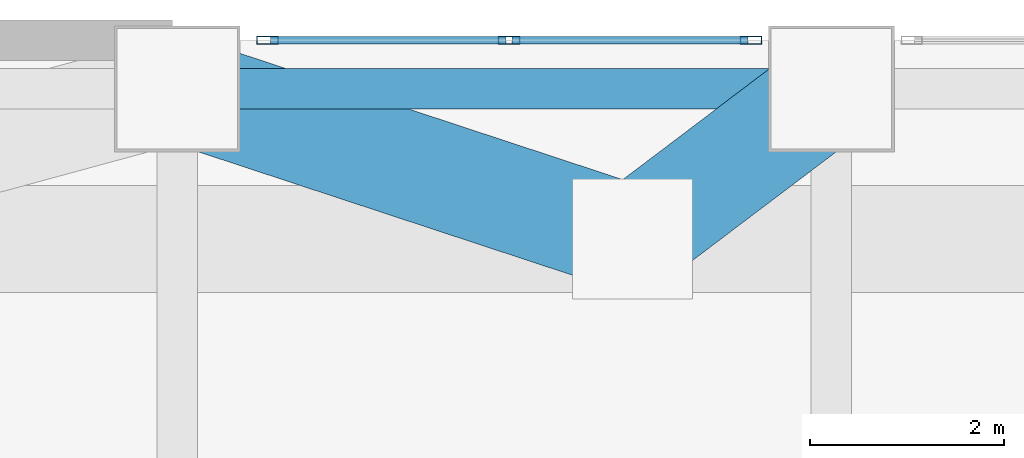
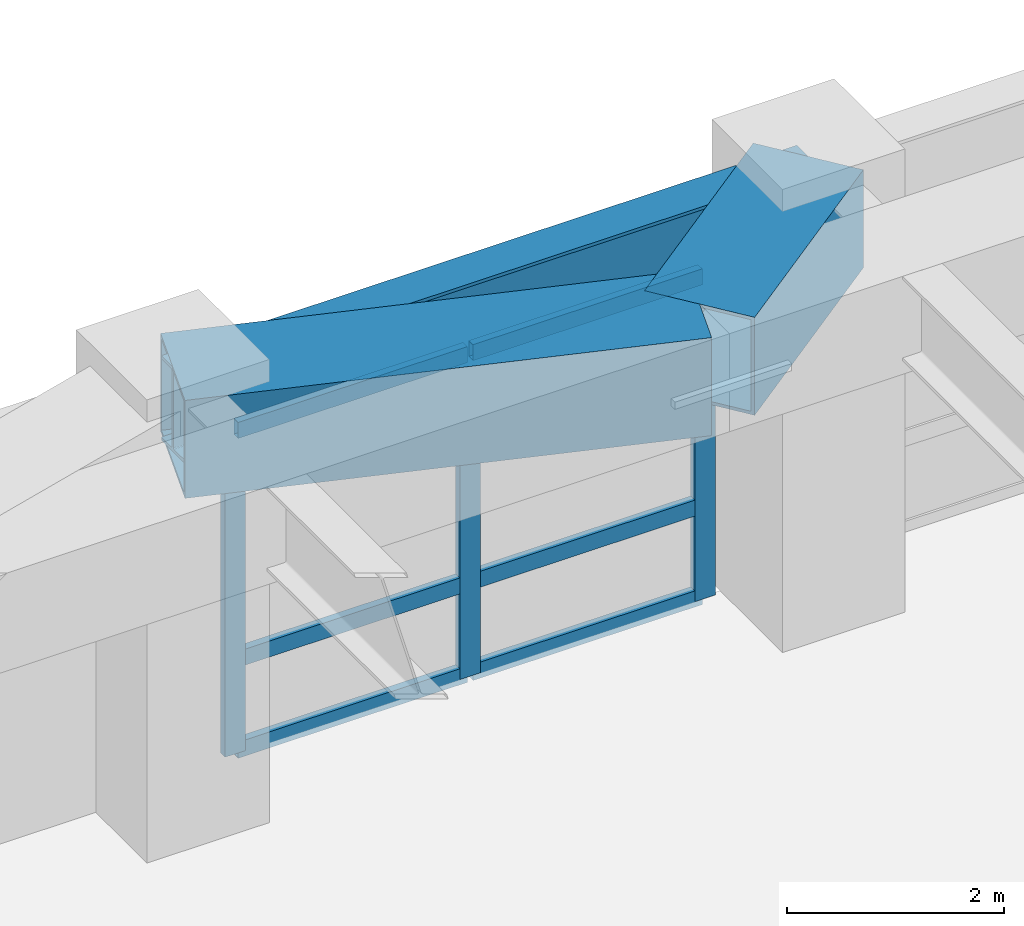
# One storey, part 8 of 20: 9 members, 3 beams, 1 element without a shape of its own.
"""IFC4 building model written with IfcOpenShell, lengths in metres."""

from ifc_helpers import new_model, si_unit, direction, frame, origin, origin_2d, place, context, subcontext, project, spatial, hollow_rectangle, i_section, extrude, material, layer, layer_set, material_profile, profile_set, type_object, element, aggregate, save


model = new_model("IFC4")

# Units and contexts
model_context = context("Model", 3, precision=1e-05, world=origin(), true_north=direction((0.0, 1.0)))
body_context = subcontext(model_context, "Body", "Model", "MODEL_VIEW")
ifc_project = project(units=[si_unit("LENGTHUNIT", "METRE"), si_unit("AREAUNIT", "SQUARE_METRE"), si_unit("VOLUMEUNIT", "CUBIC_METRE"), si_unit("PLANEANGLEUNIT", "RADIAN"), si_unit("MASSUNIT", "GRAM", prefix="KILO")], contexts=[model_context])

# Site, building, storey
site_placement = place(None, origin())
site = spatial("IfcSite", under=ifc_project, at=site_placement, CompositionType="ELEMENT")
building_placement = place(site_placement, origin())
building = spatial("IfcBuilding", under=site, at=building_placement, Name="Voryun Gate Residences", CompositionType="ELEMENT")
storey_placement = place(building_placement, frame((0.0, 0.0, 20.800048828125)))
storey = spatial("IfcBuildingStorey", under=building, at=storey_placement, Name="L04", CompositionType="ELEMENT", Elevation=20.800048828125)

# Beams
ifc_material_1 = material(Name="Steel SM420", Category="steel")
ifc_material_profile_1 = material_profile(ifc_material_1, hollow_rectangle(XDim=1.10009765625, YDim=1.10009765625, WallThickness=0.035888671875, at=origin_2d()), Name="BOX-1100x1100x36")
ifc_profile_set_1 = profile_set([ifc_material_profile_1], Name="Steel SM420")
beam_type_1 = type_object("IfcBeamType", Name="BM_ARCH_RIB", PredefinedType="USERDEFINED", material=ifc_profile_set_1)
beam_1_placement = place(storey_placement, frame((-6.75, 23.300048828125, 4.39990234375), z_axis=(-0.797657102067, -0.603111223177, 0.0), x_axis=(0.603111223177, -0.797657102067, 0.0)))
element("IfcBeam", 1, at=beam_1_placement, inside=storey, type_object=beam_type_1, Name="BM-L04-B1RAD1-N4", ObjectType="GIRDER", PredefinedType="USERDEFINED", context=body_context, shape_type="SweptSolid", body=[
    extrude(hollow_rectangle(XDim=1.10009765625, YDim=1.10009765625, WallThickness=0.035888671875, at=origin_2d()), origin(), (0.0, 0.0, 1.0), 2.570068359375),
])
beam_2_placement = place(storey_placement, frame((-13.5, 23.300048828125, 4.39990234375), z_axis=(0.949684861029, -0.313207063668, 0.0), x_axis=(0.313207063668, 0.949684861029, 0.0)))
element("IfcBeam", 2, at=beam_2_placement, inside=storey, type_object=beam_type_1, Name="BM-L04-B1RAD2-N4", ObjectType="GIRDER", PredefinedType="USERDEFINED", context=body_context, shape_type="SweptSolid", body=[
    extrude(hollow_rectangle(XDim=1.10009765625, YDim=1.10009765625, WallThickness=0.035888671875, at=origin_2d()), origin(), (0.0, 0.0, 1.0), 4.948974609375),
])
ifc_material_2 = material(Name="Steel SM420", Category="steel")
ifc_material_profile_2 = material_profile(ifc_material_2, i_section(OverallWidth=0.419921875, OverallDepth=0.949951171875, WebThickness=0.02001953125, FlangeThickness=0.035888671875, FilletRadius=0.01806640625, at=origin_2d()), Name="H-950x420x20x36")
ifc_profile_set_2 = profile_set([ifc_material_profile_2], Name="Steel SM420")
beam_type_2 = type_object("IfcBeamType", Name="BM_XFER_950", PredefinedType="USERDEFINED", material=ifc_profile_set_2)
beam_3_placement = place(storey_placement, frame((-13.5, 23.300048828125, 4.474853515625), z_axis=(1.0, 0.0, 0.0), x_axis=(0.0, 1.0, 0.0)))
element("IfcBeam", 3, at=beam_3_placement, inside=storey, type_object=beam_type_2, Name="BM-L04-GX-+23.3-2", ObjectType="GIRDER", PredefinedType="USERDEFINED", context=body_context, shape_type="SweptSolid", body=[
    extrude(i_section(OverallWidth=0.419921875, OverallDepth=0.949951171875, WebThickness=0.02001953125, FlangeThickness=0.035888671875, FilletRadius=0.01806640625, at=origin_2d()), origin(), (0.0, 0.0, 1.0), 6.75),
])

# Curtain wall, members
ifc_material_3 = material(Name="Anodised aluminium", Category="aluminium")
ifc_layer = layer(ifc_material_3, 0.219970703125, Name="CW_SYS_POD_DARK_GLASS")
ifc_layer_set = layer_set([ifc_layer], Name="Anodised aluminium")
curtain_wall_type = type_object("IfcCurtainWallType", Name="CW_SYS_POD_DARK_GLASS", PredefinedType="NOTDEFINED", material=ifc_layer_set)
curtain_wall_placement = place(storey_placement, origin())
curtain_wall = element("IfcCurtainWall", 4, at=curtain_wall_placement, inside=storey, type_object=curtain_wall_type, Name="Curtain wall CW1-L04-BRG-3-W", PredefinedType="NOTDEFINED")
ifc_material_4 = material(Name="Anodised aluminium", Category="aluminium")
ifc_material_profile_3 = material_profile(ifc_material_4, hollow_rectangle(XDim=0.080078125, YDim=0.219970703125, WallThickness=0.0048828125, at=origin_2d()), Name="ALU-MULL-220x80x5")
ifc_profile_set_3 = profile_set([ifc_material_profile_3], Name="Anodised aluminium")
member_type_1 = type_object("IfcMemberType", Name="CW_MULL_POD", PredefinedType="MULLION", material=ifc_profile_set_3)
member_1_placement = place(storey_placement, frame((-12.570068359375, 23.800048828125, 0.0), z_axis=(0.0, 0.0, 1.0), x_axis=(0.0, 1.0, 0.0)))
member_1 = element("IfcMember", 5, at=member_1_placement, type_object=member_type_1, Name="CW1 mullion 1", PredefinedType="MULLION", context=body_context, shape_type="SweptSolid", body=[
    extrude(hollow_rectangle(XDim=0.080078125, YDim=0.219970703125, WallThickness=0.0048828125, at=origin_2d()), origin(), (0.0, 0.0, 1.0), 3.64990234375),
])
member_2_placement = place(storey_placement, frame((-10.074951171875, 23.800048828125, 0.0), z_axis=(0.0, 0.0, 1.0), x_axis=(0.0, 1.0, 0.0)))
member_2 = element("IfcMember", 6, at=member_2_placement, type_object=member_type_1, Name="CW1 mullion 2", PredefinedType="MULLION", context=body_context, shape_type="SweptSolid", body=[
    extrude(hollow_rectangle(XDim=0.080078125, YDim=0.219970703125, WallThickness=0.0048828125, at=origin_2d()), origin(), (0.0, 0.0, 1.0), 3.64990234375),
])
member_3_placement = place(storey_placement, frame((-7.580078125, 23.800048828125, 0.0), z_axis=(0.0, 0.0, 1.0), x_axis=(0.0, 1.0, 0.0)))
member_3 = element("IfcMember", 7, at=member_3_placement, type_object=member_type_1, Name="CW1 mullion 3", PredefinedType="MULLION", context=body_context, shape_type="SweptSolid", body=[
    extrude(hollow_rectangle(XDim=0.080078125, YDim=0.219970703125, WallThickness=0.0048828125, at=origin_2d()), origin(), (0.0, 0.0, 1.0), 3.64990234375),
])
ifc_material_5 = material(Name="Anodised aluminium", Category="aluminium")
ifc_material_profile_4 = material_profile(ifc_material_5, hollow_rectangle(XDim=0.080078125, YDim=0.179931640625, WallThickness=0.0048828125, at=origin_2d()), Name="ALU-TRAN-180x80x5")
ifc_profile_set_4 = profile_set([ifc_material_profile_4], Name="Anodised aluminium")
member_type_2 = type_object("IfcMemberType", Name="CW_TRAN_POD", PredefinedType="USERDEFINED", material=ifc_profile_set_4)
member_4_placement = place(storey_placement, frame((-12.5400390625, 23.800048828125, 0.030029296875), z_axis=(1.0, 0.0, 0.0), x_axis=(0.0, 1.0, 0.0)))
member_4 = element("IfcMember", 8, at=member_4_placement, type_object=member_type_2, Name="CW1 transom 1.1", ObjectType="TRANSOM", PredefinedType="USERDEFINED", context=body_context, shape_type="SweptSolid", body=[
    extrude(hollow_rectangle(XDim=0.080078125, YDim=0.179931640625, WallThickness=0.0048828125, at=origin_2d()), origin(), (0.0, 0.0, 1.0), 2.43505859375),
])
member_5_placement = place(storey_placement, frame((-12.5400390625, 23.800048828125, 1.050048828125), z_axis=(1.0, 0.0, 0.0), x_axis=(0.0, 1.0, 0.0)))
member_5 = element("IfcMember", 9, at=member_5_placement, type_object=member_type_2, Name="CW1 transom 1.2", ObjectType="TRANSOM", PredefinedType="USERDEFINED", context=body_context, shape_type="SweptSolid", body=[
    extrude(hollow_rectangle(XDim=0.080078125, YDim=0.179931640625, WallThickness=0.0048828125, at=origin_2d()), origin(), (0.0, 0.0, 1.0), 2.43505859375),
])
member_6_placement = place(storey_placement, frame((-12.5400390625, 23.800048828125, 3.619873046875), z_axis=(1.0, 0.0, 0.0), x_axis=(0.0, 1.0, 0.0)))
member_6 = element("IfcMember", 10, at=member_6_placement, type_object=member_type_2, Name="CW1 transom 1.3", ObjectType="TRANSOM", PredefinedType="USERDEFINED", context=body_context, shape_type="SweptSolid", body=[
    extrude(hollow_rectangle(XDim=0.080078125, YDim=0.179931640625, WallThickness=0.0048828125, at=origin_2d()), origin(), (0.0, 0.0, 1.0), 2.43505859375),
])
member_7_placement = place(storey_placement, frame((-10.044921875, 23.800048828125, 0.030029296875), z_axis=(1.0, 0.0, 0.0), x_axis=(0.0, 1.0, 0.0)))
member_7 = element("IfcMember", 11, at=member_7_placement, type_object=member_type_2, Name="CW1 transom 2.1", ObjectType="TRANSOM", PredefinedType="USERDEFINED", context=body_context, shape_type="SweptSolid", body=[
    extrude(hollow_rectangle(XDim=0.080078125, YDim=0.179931640625, WallThickness=0.0048828125, at=origin_2d()), origin(), (0.0, 0.0, 1.0), 2.434814453125),
])
member_8_placement = place(storey_placement, frame((-10.044921875, 23.800048828125, 1.050048828125), z_axis=(1.0, 0.0, 0.0), x_axis=(0.0, 1.0, 0.0)))
member_8 = element("IfcMember", 12, at=member_8_placement, type_object=member_type_2, Name="CW1 transom 2.2", ObjectType="TRANSOM", PredefinedType="USERDEFINED", context=body_context, shape_type="SweptSolid", body=[
    extrude(hollow_rectangle(XDim=0.080078125, YDim=0.179931640625, WallThickness=0.0048828125, at=origin_2d()), origin(), (0.0, 0.0, 1.0), 2.434814453125),
])
member_9_placement = place(storey_placement, frame((-10.044921875, 23.800048828125, 3.619873046875), z_axis=(1.0, 0.0, 0.0), x_axis=(0.0, 1.0, 0.0)))
member_9 = element("IfcMember", 13, at=member_9_placement, type_object=member_type_2, Name="CW1 transom 2.3", ObjectType="TRANSOM", PredefinedType="USERDEFINED", context=body_context, shape_type="SweptSolid", body=[
    extrude(hollow_rectangle(XDim=0.080078125, YDim=0.179931640625, WallThickness=0.0048828125, at=origin_2d()), origin(), (0.0, 0.0, 1.0), 2.434814453125),
])
aggregate(curtain_wall, [member_1, member_2, member_3, member_4, member_5, member_6, member_7, member_8, member_9])

save(model, "model.ifc")
